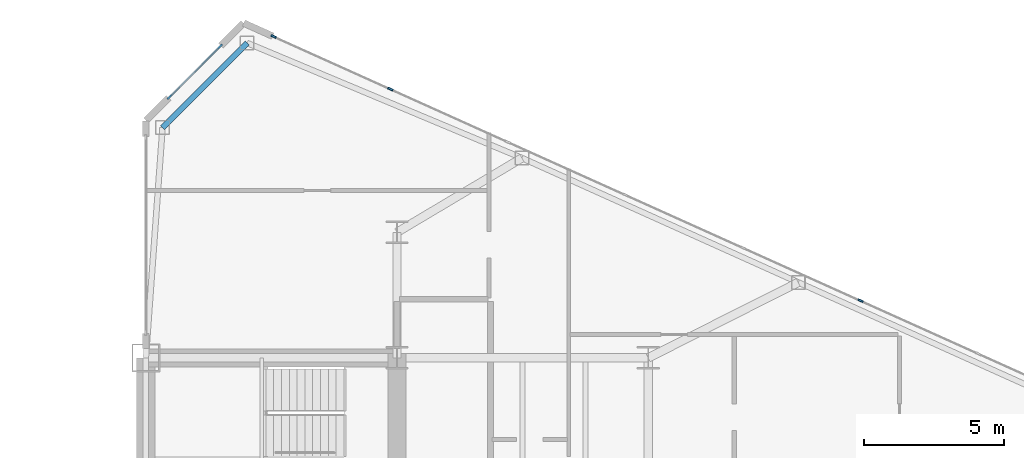
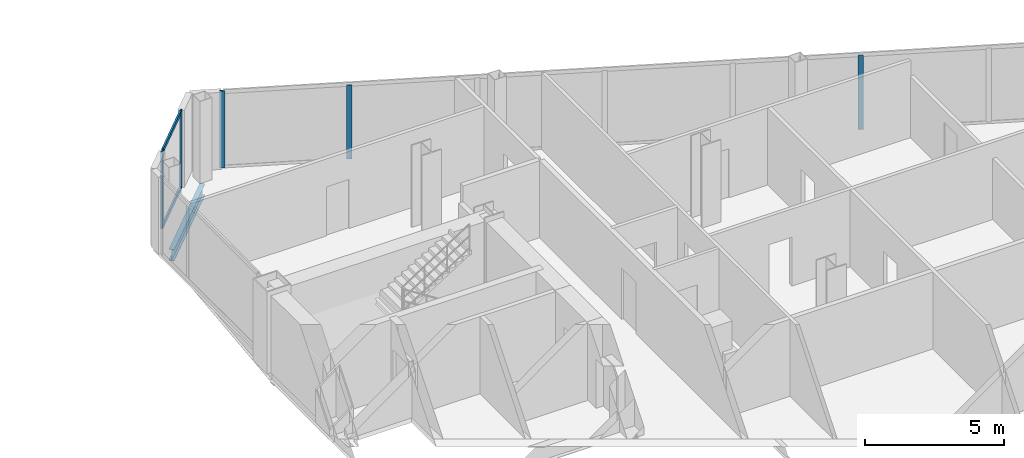
# One storey, part 15 of 27: 7 members, 1 beam, 2 elements without a shape of their own.
"""IFC4 building model written with IfcOpenShell, lengths in metres."""

from ifc_helpers import new_model, si_unit, direction, frame, origin, origin_2d, place, context, subcontext, project, spatial, rectangle, i_section, extrude, source, transform, mapped, material, layer, layer_set, material_profile, profile_set, type_object, type_shapes, element, aggregate, save


model = new_model("IFC4")

# Units and contexts
model_context = context("Model", 3, precision=1e-05, world=origin(), true_north=direction((0.0, 1.0)))
body_context = subcontext(model_context, "Body", "Model", "MODEL_VIEW")
ifc_project = project(units=[si_unit("LENGTHUNIT", "METRE"), si_unit("AREAUNIT", "SQUARE_METRE"), si_unit("VOLUMEUNIT", "CUBIC_METRE"), si_unit("PLANEANGLEUNIT", "RADIAN"), si_unit("MASSUNIT", "GRAM", prefix="KILO")], contexts=[model_context])

# Site, building, storey
site_placement = place(None, origin())
site = spatial("IfcSite", under=ifc_project, at=site_placement, CompositionType="ELEMENT")
building_placement = place(site_placement, origin())
building = spatial("IfcBuilding", under=site, at=building_placement, Name="Seokmaru Belvedere", CompositionType="ELEMENT")
storey_placement = place(building_placement, frame((0.0, 0.0, 99.60009765625)))
storey = spatial("IfcBuildingStorey", under=building, at=storey_placement, Name="L26", CompositionType="ELEMENT", Elevation=99.60009765625)

# Beam
ifc_material_1 = material(Name="Steel SM355 (355 MPa)", Category="steel")
ifc_material_profile_1 = material_profile(ifc_material_1, i_section(OverallWidth=0.199951171875, OverallDepth=0.5, WebThickness=0.010009765625, FlangeThickness=0.01611328125, at=origin_2d()), Name="H-500x200x10x16")
ifc_profile_set_1 = profile_set([ifc_material_profile_1], Name="Steel SM355 (355 MPa)")
beam_type = type_object("IfcBeamType", Name="Perimeter Spandrel Beam H-500", PredefinedType="SPANDREL", material=ifc_profile_set_1)
shared_shape_1 = source(origin(), body_context, "Body", "SweptSolid", [
    extrude(i_section(OverallWidth=0.199951171875, OverallDepth=0.5, WebThickness=0.010009765625, FlangeThickness=0.01611328125, at=origin_2d()), origin(), (0.0, 0.0, 1.0), 4.287109375),
])
type_shapes(beam_type, [shared_shape_1])
beam_placement = place(storey_placement, frame((31.13134765625, 24.782958984375, -0.47021484375), z_axis=(-0.707078306132, -0.707135255094, 0.0), x_axis=(0.707135255094, -0.707078306132, 0.0)))
element("IfcBeam", 1, at=beam_placement, inside=storey, type_object=beam_type, Name="L26 E Shoulder Chamfer Spandrel N", PredefinedType="SPANDREL", context=body_context, shape_type="MappedRepresentation", body=[
    mapped(shared_shape_1, transform((0.0, 0.0, 0.0), scale=1.0)),
])

# Curtain wall, member
ifc_material_2 = material(Name="Bronze Triple Insulating Glass", Category="glass")
ifc_layer = layer(ifc_material_2, 0.195068359375)
ifc_layer_set = layer_set([ifc_layer], Name="Bronze Triple Insulating Glass")
curtain_wall_type = type_object("IfcCurtainWallType", Name="Lower-Mid Tapered Curtain Wall System CW-3", PredefinedType="NOTDEFINED", material=ifc_layer_set)
curtain_wall_1_placement = place(storey_placement, origin())
curtain_wall_1 = element("IfcCurtainWall", 2, at=curtain_wall_1_placement, inside=storey, type_object=curtain_wall_type, Name="L26 Curtain Wall EF3", PredefinedType="NOTDEFINED")
ifc_material_3 = material(Name="Anodised Bronze Aluminium", Category="aluminium")
ifc_material_profile_2 = material_profile(ifc_material_3, rectangle(XDim=0.070068359375, YDim=0.195068359375, at=origin_2d()), Name="CW-M-70x195")
ifc_profile_set_2 = profile_set([ifc_material_profile_2], Name="Anodised Bronze Aluminium")
member_type_1 = type_object("IfcMemberType", Name="Bronze Unitised Mullion 70x195", PredefinedType="MULLION", material=ifc_profile_set_2)
shared_shape_2 = source(origin(), body_context, "Body", "SweptSolid", [
    extrude(rectangle(XDim=0.070068359375, YDim=0.195068359375, at=origin_2d()), origin(), (0.0, 0.0, 1.0), 3.3798828125),
])
member_1_placement = place(storey_placement, frame((32.08056640625, 25.013671875, 0.0), z_axis=(0.0, 0.0, 1.0), x_axis=(-0.41036554765, -0.91192111353, 0.0)))
member_1 = element("IfcMember", 3, at=member_1_placement, type_object=member_type_1, Name="CW:L26:EF3 Mullion 10", PredefinedType="MULLION", context=body_context, shape_type="MappedRepresentation", body=[
    mapped(shared_shape_2, transform((0.0, 0.0, 0.0), scale=1.0)),
])

# Curtain wall, members
curtain_wall_2_placement = place(storey_placement, origin())
curtain_wall_2 = element("IfcCurtainWall", 4, at=curtain_wall_2_placement, inside=storey, type_object=curtain_wall_type, Name="L26 Curtain Wall EF4", PredefinedType="NOTDEFINED")
member_2_placement = place(storey_placement, frame((30.162109375, 24.662109375, 0.0), z_axis=(0.0, 0.0, 1.0), x_axis=(0.707106781187, -0.707106781187, 0.0)))
member_2 = element("IfcMember", 5, at=member_2_placement, type_object=member_type_1, Name="CW:L26:EF4 Mullion 1", PredefinedType="MULLION", context=body_context, shape_type="MappedRepresentation", body=[
    mapped(shared_shape_2, transform((0.0, 0.0, 0.0), scale=1.0)),
])
member_3_placement = place(storey_placement, frame((28.337890625, 22.837890625, 0.0), z_axis=(0.0, 0.0, 1.0), x_axis=(0.707106781187, -0.707106781187, 0.0)))
member_3 = element("IfcMember", 6, at=member_3_placement, type_object=member_type_1, Name="CW:L26:EF4 Mullion 2", PredefinedType="MULLION", context=body_context, shape_type="MappedRepresentation", body=[
    mapped(shared_shape_2, transform((0.0, 0.0, 0.0), scale=1.0)),
])
ifc_material_profile_3 = material_profile(ifc_material_3, rectangle(XDim=0.070068359375, YDim=0.1650390625, at=origin_2d()), Name="CW-T-70x165")
ifc_profile_set_3 = profile_set([ifc_material_profile_3], Name="Anodised Bronze Aluminium")
member_type_2 = type_object("IfcMemberType", Name="Bronze Unitised Transom 70x165", PredefinedType="USERDEFINED", material=ifc_profile_set_3)
shared_shape_3 = source(origin(), body_context, "Body", "SweptSolid", [
    extrude(rectangle(XDim=0.070068359375, YDim=0.1650390625, at=origin_2d()), origin(), (0.0, 0.0, 1.0), 2.509521484375),
])
type_shapes(member_type_2, [shared_shape_3])
member_4_placement = place(storey_placement, frame((30.13720703125, 24.63720703125, 0.034912109375), z_axis=(-0.707106781187, -0.707106781187, 0.0), x_axis=(0.707106781187, -0.707106781187, 0.0)))
member_4 = element("IfcMember", 7, at=member_4_placement, type_object=member_type_2, Name="CW:L26:EF4 Continuous Transom 1", ObjectType="TRANSOM", PredefinedType="USERDEFINED", context=body_context, shape_type="MappedRepresentation", body=[
    mapped(shared_shape_3, transform((0.0, 0.0, 0.0), scale=1.0)),
])
member_5_placement = place(storey_placement, frame((30.13720703125, 24.63720703125, 3.344970703125), z_axis=(-0.707106781187, -0.707106781187, 0.0), x_axis=(0.707106781187, -0.707106781187, 0.0)))
member_5 = element("IfcMember", 8, at=member_5_placement, type_object=member_type_2, Name="CW:L26:EF4 Continuous Transom 2", ObjectType="TRANSOM", PredefinedType="USERDEFINED", context=body_context, shape_type="MappedRepresentation", body=[
    mapped(shared_shape_3, transform((0.0, 0.0, 0.0), scale=1.0)),
])
aggregate(curtain_wall_2, [member_2, member_3, member_4, member_5])

# Member
shared_shape_4 = source(origin(), body_context, "Body", "SweptSolid", [
    extrude(rectangle(XDim=0.070068359375, YDim=0.195068359375, at=origin_2d()), origin(), (0.0, 0.0, 1.0), 3.239990234375),
])
type_shapes(member_type_1, [shared_shape_2, shared_shape_4])
member_6_placement = place(storey_placement, frame((53.105712890625, 15.552490234375, 0.06982421875), z_axis=(0.0, 0.0, 1.0), x_axis=(-0.41036554765, -0.91192111353, 0.0)))
member_6 = element("IfcMember", 9, at=member_6_placement, type_object=member_type_1, Name="CW:L26:EF3 Mullion 5", PredefinedType="MULLION", context=body_context, shape_type="MappedRepresentation", body=[
    mapped(shared_shape_4, transform((0.0, 0.0, 0.0), scale=1.0)),
])

member_7_placement = place(storey_placement, frame((36.260009765625, 23.133056640625, 0.06982421875), z_axis=(0.0, 0.0, 1.0), x_axis=(-0.41036554765, -0.91192111353, 0.0)))
member_7 = element("IfcMember", 10, at=member_7_placement, type_object=member_type_1, Name="CW:L26:EF3 Mullion 9", PredefinedType="MULLION", context=body_context, shape_type="MappedRepresentation", body=[
    mapped(shared_shape_4, transform((0.0, 0.0, 0.0), scale=1.0)),
])

aggregate(curtain_wall_1, [member_6, member_7, member_1])

save(model, "model.ifc")
